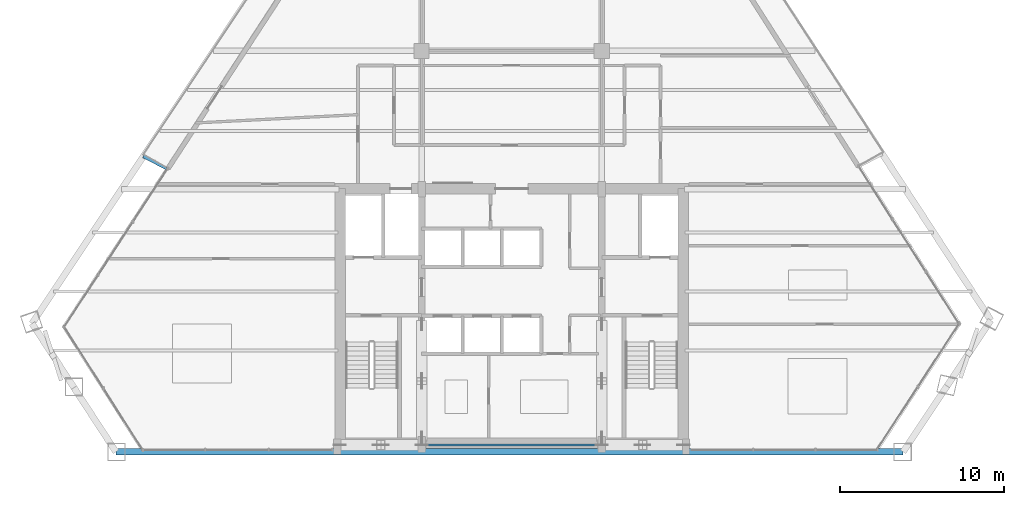
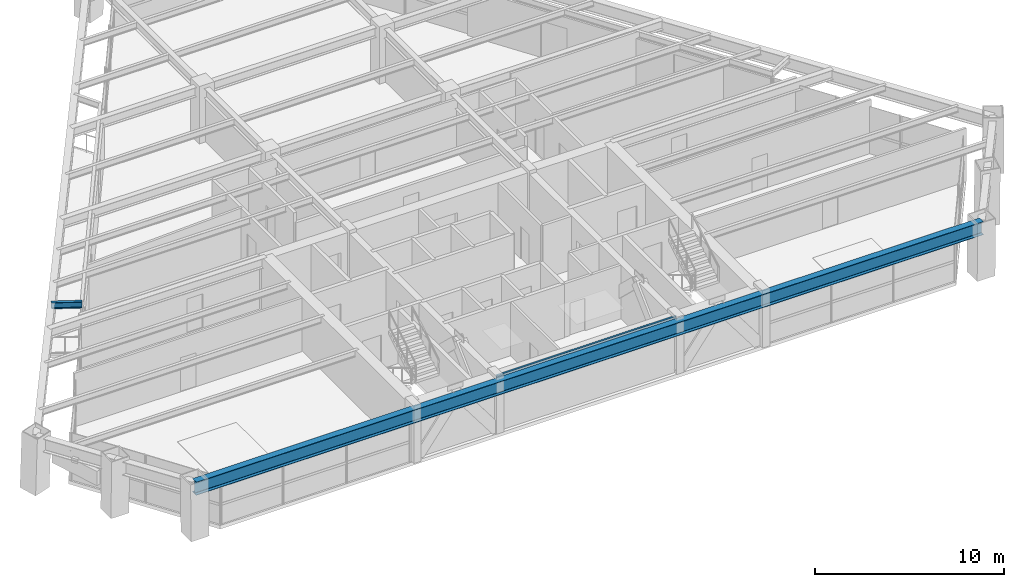
# One storey, part 3 of 15: 3 beams.
"""IFC4 building model written with IfcOpenShell, lengths in metres."""

import ifcopenshell
import ifcopenshell.guid

model = None  # the IFC model being written
_history = None  # IfcOwnerHistory: only IFC2X3 demands one
_inside = {}  # id of a spatial element -> (the spatial element, [elements in it])
_under = {}  # id of a project, library or spatial element -> (it, [spatial elements below it])
_declared = {}  # id of a project -> (the project, [libraries it declares])
_typed = {}  # id of a type object -> (the type object, [elements of that type])
_made_of = {}  # id of a material, layer set ... -> (it, [elements and type objects made of it])


def new_model(schema):
    """Start an empty IFC model of exactly this schema.

    Asked for "IFC4X3", IfcOpenShell would pick the latest addendum, in which some entities
    have other attributes; the version numbers below select the first issue.
    IFC2X3 requires an IfcOwnerHistory on every rooted entity: one is made here for all.
    """
    global model, _history
    if schema == "IFC4X3":
        model = ifcopenshell.file(schema_version=(4, 3, 0, 0))
    else:
        model = ifcopenshell.file(schema=schema)
    _inside.clear()
    _under.clear()
    _declared.clear()
    _typed.clear()
    _made_of.clear()
    _history = None
    if model.schema == "IFC2X3":
        org = make("IfcOrganization", Name="unknown")
        user = make(
            "IfcPersonAndOrganization",
            ThePerson=make("IfcPerson", FamilyName="unknown"),
            TheOrganization=org,
        )
        app = make(
            "IfcApplication",
            ApplicationDeveloper=org,
            Version="unknown",
            ApplicationFullName="unknown",
            ApplicationIdentifier="unknown",
        )
        _history = make(
            "IfcOwnerHistory",
            OwningUser=user,
            OwningApplication=app,
            ChangeAction="ADDED",
            CreationDate=0,
        )
    return model


def make(cls, **values):
    """One entity of the class cls with the attributes given. An attribute that is None is left unset."""
    return model.create_entity(
        cls, **{name: value for name, value in values.items() if value is not None}
    )


def rooted(cls, **values):
    """An entity with a GlobalId (a new one), such as an element, a storey or a relation."""
    return make(cls, GlobalId=ifcopenshell.guid.new(), OwnerHistory=_history, **values)


def si_unit(unit_type, name, prefix=None):
    """IfcSIUnit, for example si_unit("LENGTHUNIT", "METRE", prefix="MILLI")."""
    return make("IfcSIUnit", UnitType=unit_type, Prefix=prefix, Name=name)


def assignment(units):
    """IfcUnitAssignment: the units of a project."""
    return None if units is None else make("IfcUnitAssignment", Units=units)


def point(xyz):
    """IfcCartesianPoint."""
    return None if xyz is None else make("IfcCartesianPoint", Coordinates=xyz)


def direction(xyz):
    """IfcDirection."""
    return None if xyz is None else make("IfcDirection", DirectionRatios=xyz)


def frame(location, z_axis=None, x_axis=None):
    """IfcAxis2Placement3D, a coordinate frame: its origin and axes. An axis left out is left unset."""
    return make(
        "IfcAxis2Placement3D",
        Location=point(location),
        Axis=direction(z_axis),
        RefDirection=direction(x_axis),
    )


def frame_2d(location, x_axis=None):
    """IfcAxis2Placement2D, a coordinate frame in the plane: its origin and x axis."""
    return make(
        "IfcAxis2Placement2D", Location=point(location), RefDirection=direction(x_axis)
    )


def origin():
    """The frame at (0, 0, 0) with its axes left unset."""
    return frame((0.0, 0.0, 0.0))


def origin_2d():
    """The frame at (0, 0) in the plane with its x axis left unset."""
    return frame_2d((0.0, 0.0))


def place(relative_to, where):
    """IfcLocalPlacement: puts the frame where relative to a parent placement (None: the world)."""
    return make(
        "IfcLocalPlacement", PlacementRelTo=relative_to, RelativePlacement=where
    )


def context(
    kind, dimensions, precision=None, world=None, true_north=None, identifier=None
):
    """IfcGeometricRepresentationContext, for example the 3D "Model" context."""
    return make(
        "IfcGeometricRepresentationContext",
        ContextIdentifier=identifier,
        ContextType=kind,
        CoordinateSpaceDimension=dimensions,
        Precision=precision,
        WorldCoordinateSystem=world,
        TrueNorth=true_north,
    )


def subcontext(parent, identifier, kind, view, scale=None):
    """IfcGeometricRepresentationSubContext, for example "Body" below "Model"."""
    return make(
        "IfcGeometricRepresentationSubContext",
        ContextIdentifier=identifier,
        ContextType=kind,
        ParentContext=parent,
        TargetScale=scale,
        TargetView=view,
    )


def project(units=None, contexts=None):
    """IfcProject with its units and contexts."""
    return rooted(
        "IfcProject",
        Name="project",
        RepresentationContexts=contexts,
        UnitsInContext=assignment(units),
    )


def spatial(cls, under=None, at=None, **own):
    """A site, building, storey or space (cls), placed at a placement, below another one or the project."""
    s = rooted(cls, ObjectPlacement=at, **own)
    if under is not None:
        _under.setdefault(under.id(), (under, []))[1].append(s)
    return s


def profile(cls, at=None, kind="AREA", **sizes):
    """A parametric profile (cls). Its sizes go by their IFC names, for example OverallWidth=200.0."""
    return make(cls, ProfileType=kind, Position=at, **sizes)


def i_section(**sizes):
    """IfcIShapeProfileDef."""
    return profile("IfcIShapeProfileDef", **sizes)


def extrude(swept, where, along, depth):
    """IfcExtrudedAreaSolid: the profile swept, set in the frame where, extruded along a direction by depth."""
    return make(
        "IfcExtrudedAreaSolid",
        SweptArea=swept,
        Position=where,
        ExtrudedDirection=direction(along),
        Depth=depth,
    )


def shape(context_of_items, identifier, shape_type, items):
    """IfcShapeRepresentation: the items that make up one representation, for example the "Body"."""
    return make(
        "IfcShapeRepresentation",
        ContextOfItems=context_of_items,
        RepresentationIdentifier=identifier,
        RepresentationType=shape_type,
        Items=items,
    )


def source(mapping_origin, context_of_items, identifier, shape_type, items):
    """IfcRepresentationMap: a shape defined once, which mapped items show again and again."""
    return make(
        "IfcRepresentationMap",
        MappingOrigin=mapping_origin,
        MappedRepresentation=shape(context_of_items, identifier, shape_type, items),
    )


def transform(
    local_origin,
    x_axis=None,
    y_axis=None,
    z_axis=None,
    scale=None,
    scale2=None,
    scale3=None,
    uniform=True,
):
    """IfcCartesianTransformationOperator3D, or its non-uniform kind. x_axis, y_axis, z_axis: its Axis1, 2, 3."""
    if uniform:
        return make(
            "IfcCartesianTransformationOperator3D",
            Axis1=direction(x_axis),
            Axis2=direction(y_axis),
            LocalOrigin=point(local_origin),
            Scale=scale,
            Axis3=direction(z_axis),
        )
    return make(
        "IfcCartesianTransformationOperator3DnonUniform",
        Axis1=direction(x_axis),
        Axis2=direction(y_axis),
        LocalOrigin=point(local_origin),
        Scale=scale,
        Axis3=direction(z_axis),
        Scale2=scale2,
        Scale3=scale3,
    )


def mapped(mapping_source, mapping_target):
    """IfcMappedItem: shows the shape of a source again, moved by a transform."""
    return make(
        "IfcMappedItem", MappingSource=mapping_source, MappingTarget=mapping_target
    )


def material(Name=None, Category=None):
    """IfcMaterial."""
    return make("IfcMaterial", Name=Name, Category=Category)


def material_profile(
    of_material, cross_section, Name=None, Category=None, Priority=None
):
    """IfcMaterialProfile: a cross section and its material."""
    return make(
        "IfcMaterialProfile",
        Name=Name,
        Material=of_material,
        Profile=cross_section,
        Priority=Priority,
        Category=Category,
    )


def profile_set(profiles, Name=None, composite=None):
    """IfcMaterialProfileSet."""
    return make(
        "IfcMaterialProfileSet",
        Name=Name,
        MaterialProfiles=profiles,
        CompositeProfile=composite,
    )


def made_of(thing, what):
    """Note that an element or type object is made of a material, layer set ...; save() writes the relation."""
    if what is not None:
        _made_of.setdefault(what.id(), (what, []))[1].append(thing)
    return thing


def type_object(cls, material=None, **own):
    """A type object (cls), such as IfcWallType, which elements share."""
    return made_of(rooted(cls, **own), material)


def type_shapes(of_type, sources):
    """Give a type object the sources (RepresentationMaps) that its elements show as mapped items."""
    of_type.RepresentationMaps = sources


def element(
    cls,
    number,
    at=None,
    inside=None,
    cuts=None,
    type_object=None,
    material=None,
    context=None,
    identifier="Body",
    shape_type=None,
    held_by="IfcProductDefinitionShape",
    body=None,
    shapes=None,
    **own,
):
    """One element of the class cls, such as IfcWall. Its Tag is "e" and its number.

    at: its placement. inside: the storey or other place that contains it. cuts: it is an
    opening in that element (IfcRelVoidsElement). A single representation is given by context,
    identifier, shape_type and body (its items); several are given by shapes. held_by: the class
    of the entity that holds the representations. save() writes the other relations.
    """
    e = rooted(cls, Tag="e%d" % number, ObjectPlacement=at, **own)
    if body is not None:
        shapes = [shape(context, identifier, shape_type, body)]
    if shapes is not None:
        e.Representation = make(held_by, Representations=shapes)
    if inside is not None:
        _inside.setdefault(inside.id(), (inside, []))[1].append(e)
    if cuts is not None:
        rooted(
            "IfcRelVoidsElement", RelatingBuildingElement=cuts, RelatedOpeningElement=e
        )
    if type_object is not None:
        _typed.setdefault(type_object.id(), (type_object, []))[1].append(e)
    return made_of(e, material)


def aggregate(whole, parts):
    """IfcRelAggregates: a whole, such as a stair, and the parts it consists of."""
    return rooted("IfcRelAggregates", RelatingObject=whole, RelatedObjects=parts)


def save(model, path):
    """Write the relations noted so far, then the file.

    IfcRelAggregates (storeys below a building ...), IfcRelContainedInSpatialStructure (elements
    in a storey), IfcRelDefinesByType, IfcRelAssociatesMaterial and IfcRelDeclares: one each for
    every whole, place, type object, material and project.
    """
    for whole, parts in _under.values():
        aggregate(whole, parts)
    for where, things in _inside.values():
        rooted(
            "IfcRelContainedInSpatialStructure",
            RelatedElements=things,
            RelatingStructure=where,
        )
    for kind, things in _typed.values():
        rooted("IfcRelDefinesByType", RelatedObjects=things, RelatingType=kind)
    for what, things in _made_of.values():
        rooted("IfcRelAssociatesMaterial", RelatedObjects=things, RelatingMaterial=what)
    for by, libraries in _declared.values():
        rooted("IfcRelDeclares", RelatingContext=by, RelatedDefinitions=libraries)
    model.write(path)


model = new_model("IFC4")

# Units and contexts
model_context = context("Model", 3, precision=1e-05, world=origin(), true_north=direction((0.0, 1.0)))
body_context = subcontext(model_context, "Body", "Model", "MODEL_VIEW")
ifc_project = project(units=[si_unit("LENGTHUNIT", "METRE"), si_unit("AREAUNIT", "SQUARE_METRE"), si_unit("VOLUMEUNIT", "CUBIC_METRE"), si_unit("PLANEANGLEUNIT", "RADIAN"), si_unit("MASSUNIT", "GRAM", prefix="KILO")], contexts=[model_context])

# Site, building, storey
site_placement = place(None, origin())
site = spatial("IfcSite", under=ifc_project, at=site_placement, CompositionType="ELEMENT")
building_placement = place(site_placement, origin())
building = spatial("IfcBuilding", under=site, at=building_placement, Name="Varnakhor Terracotta Tower", CompositionType="ELEMENT")
storey_placement = place(building_placement, frame((0.0, 0.0, 136.699951171875)))
storey = spatial("IfcBuildingStorey", under=building, at=storey_placement, Name="L34", CompositionType="ELEMENT", Elevation=136.699951171875)

# Beams
ifc_material = material(Name="Steel S355", Category="steel")
ifc_material_profile_1 = material_profile(ifc_material, i_section(OverallWidth=0.1201171875, OverallDepth=0.239990234375, WebThickness=0.006103515625, FlangeThickness=0.009765625, FilletRadius=0.01806640625, at=origin_2d()), Name="IPE240")
ifc_profile_set_1 = profile_set([ifc_material_profile_1], Name="Steel S355")
beam_type_1 = type_object("IfcBeamType", Name="LNT-IPE240", PredefinedType="LINTEL", material=ifc_profile_set_1)
shared_shape_1 = source(origin(), body_context, "Body", "SweptSolid", [
    extrude(i_section(OverallWidth=0.1201171875, OverallDepth=0.239990234375, WebThickness=0.006103515625, FlangeThickness=0.009765625, FilletRadius=0.01806640625, at=origin_2d()), origin(), (0.0, 0.0, 1.0), 11.0),
])
type_shapes(beam_type_1, [shared_shape_1])
beam_1_placement = place(storey_placement, frame((-5.5, 0.419921875, 3.35009765625), z_axis=(1.0, 0.0, 0.0), x_axis=(0.0, 1.0, 0.0)))
element("IfcBeam", 1, at=beam_1_placement, inside=storey, type_object=beam_type_1, Name="L34 Core South Coupling Lintel", PredefinedType="LINTEL", context=body_context, shape_type="MappedRepresentation", body=[
    mapped(shared_shape_1, transform((0.0, 0.0, 0.0), scale=1.0)),
])
ifc_material_profile_2 = material_profile(ifc_material, i_section(OverallWidth=0.39990234375, OverallDepth=0.85498046875, WebThickness=0.01806640625, FlangeThickness=0.029052734375, FilletRadius=0.01806640625, at=origin_2d()), Name="W33X201")
ifc_profile_set_2 = profile_set([ifc_material_profile_2], Name="Steel S355")
beam_type_2 = type_object("IfcBeamType", Name="BM-W33X201", PredefinedType="BEAM", material=ifc_profile_set_2)
shared_shape_2 = source(origin(), body_context, "Body", "SweptSolid", [
    extrude(i_section(OverallWidth=0.39990234375, OverallDepth=0.85498046875, WebThickness=0.01806640625, FlangeThickness=0.029052734375, FilletRadius=0.01806640625, at=origin_2d()), origin(), (0.0, 0.0, 1.0), 48.093994140625),
])
beam_2_placement = place(storey_placement, frame((-24.18115234375, 0.0, 3.04248046875), z_axis=(1.0, 0.0, 0.0), x_axis=(0.0, 1.0, 0.0)))
element("IfcBeam", 2, at=beam_2_placement, inside=storey, type_object=beam_type_2, Name="L34 Perimeter Spandrel 1", PredefinedType="BEAM", context=body_context, shape_type="MappedRepresentation", body=[
    mapped(shared_shape_2, transform((0.0, 0.0, 0.0), scale=1.0)),
])
ifc_material_profile_3 = material_profile(ifc_material, i_section(OverallWidth=0.179931640625, OverallDepth=0.39990234375, WebThickness=0.008544921875, FlangeThickness=0.013427734375, FilletRadius=0.01806640625, at=origin_2d()), Name="IPE400")
ifc_profile_set_3 = profile_set([ifc_material_profile_3], Name="Steel S355")
beam_type_3 = type_object("IfcBeamType", Name="JST-IPE400", PredefinedType="JOIST", material=ifc_profile_set_3)
shared_shape_3 = source(origin(), body_context, "Body", "SweptSolid", [
    extrude(i_section(OverallWidth=0.179931640625, OverallDepth=0.39990234375, WebThickness=0.008544921875, FlangeThickness=0.013427734375, FilletRadius=0.01806640625, at=origin_2d()), origin(), (0.0, 0.0, 1.0), 1.62109375),
])
beam_3_placement = place(storey_placement, frame((-21.065185546875, 17.305908203125, 3.27001953125), z_axis=(-0.889340300219, 0.457245918961, 0.0), x_axis=(-0.457245918961, -0.889340300219, 0.0)))
element("IfcBeam", 3, at=beam_3_placement, inside=storey, type_object=beam_type_3, Name="L35 W Loggia Tie Beam 1", PredefinedType="JOIST", context=body_context, shape_type="MappedRepresentation", body=[
    mapped(shared_shape_3, transform((0.0, 0.0, 0.0), scale=1.0)),
])

save(model, "model.ifc")
